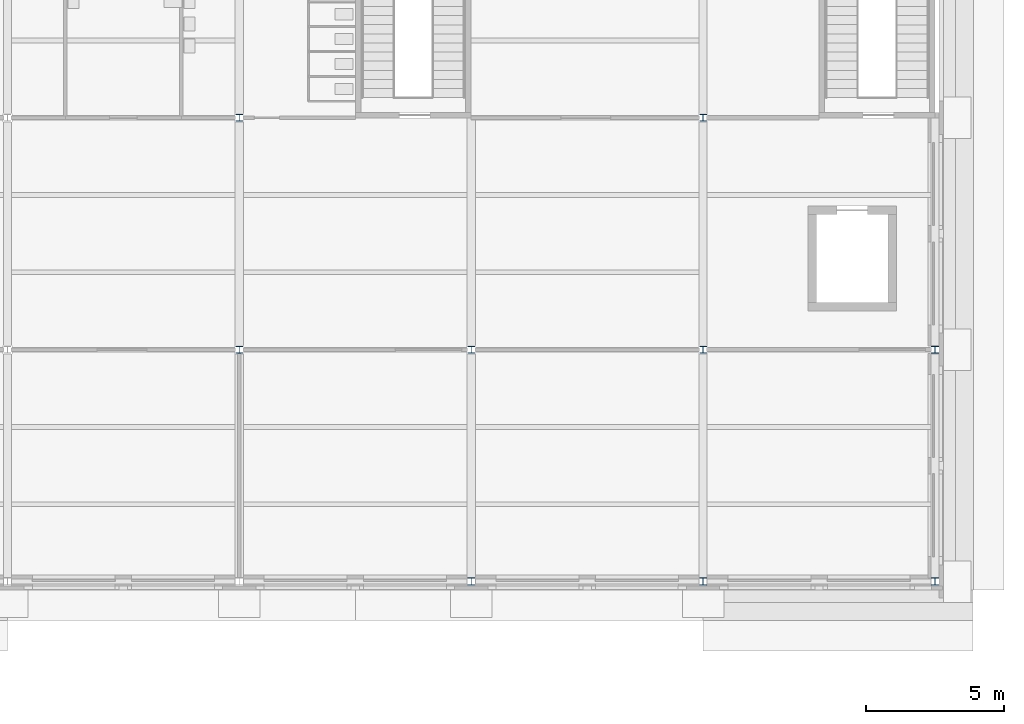
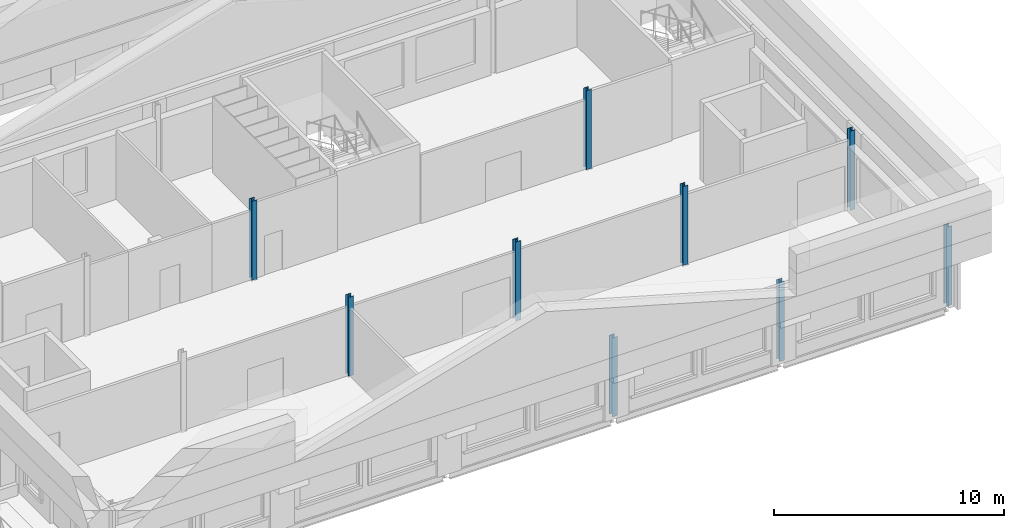
# One storey, part 6 of 76: 9 columns.
"""IFC4 building model written with IfcOpenShell, lengths in metres."""

import ifcopenshell
import ifcopenshell.guid

model = None  # the IFC model being written
_history = None  # IfcOwnerHistory: only IFC2X3 demands one
_inside = {}  # id of a spatial element -> (the spatial element, [elements in it])
_under = {}  # id of a project, library or spatial element -> (it, [spatial elements below it])
_declared = {}  # id of a project -> (the project, [libraries it declares])
_typed = {}  # id of a type object -> (the type object, [elements of that type])
_made_of = {}  # id of a material, layer set ... -> (it, [elements and type objects made of it])


def new_model(schema):
    """Start an empty IFC model of exactly this schema.

    Asked for "IFC4X3", IfcOpenShell would pick the latest addendum, in which some entities
    have other attributes; the version numbers below select the first issue.
    IFC2X3 requires an IfcOwnerHistory on every rooted entity: one is made here for all.
    """
    global model, _history
    if schema == "IFC4X3":
        model = ifcopenshell.file(schema_version=(4, 3, 0, 0))
    else:
        model = ifcopenshell.file(schema=schema)
    _inside.clear()
    _under.clear()
    _declared.clear()
    _typed.clear()
    _made_of.clear()
    _history = None
    if model.schema == "IFC2X3":
        org = make("IfcOrganization", Name="unknown")
        user = make(
            "IfcPersonAndOrganization",
            ThePerson=make("IfcPerson", FamilyName="unknown"),
            TheOrganization=org,
        )
        app = make(
            "IfcApplication",
            ApplicationDeveloper=org,
            Version="unknown",
            ApplicationFullName="unknown",
            ApplicationIdentifier="unknown",
        )
        _history = make(
            "IfcOwnerHistory",
            OwningUser=user,
            OwningApplication=app,
            ChangeAction="ADDED",
            CreationDate=0,
        )
    return model


def make(cls, **values):
    """One entity of the class cls with the attributes given. An attribute that is None is left unset."""
    return model.create_entity(
        cls, **{name: value for name, value in values.items() if value is not None}
    )


def rooted(cls, **values):
    """An entity with a GlobalId (a new one), such as an element, a storey or a relation."""
    return make(cls, GlobalId=ifcopenshell.guid.new(), OwnerHistory=_history, **values)


def si_unit(unit_type, name, prefix=None):
    """IfcSIUnit, for example si_unit("LENGTHUNIT", "METRE", prefix="MILLI")."""
    return make("IfcSIUnit", UnitType=unit_type, Prefix=prefix, Name=name)


def assignment(units):
    """IfcUnitAssignment: the units of a project."""
    return None if units is None else make("IfcUnitAssignment", Units=units)


def point(xyz):
    """IfcCartesianPoint."""
    return None if xyz is None else make("IfcCartesianPoint", Coordinates=xyz)


def direction(xyz):
    """IfcDirection."""
    return None if xyz is None else make("IfcDirection", DirectionRatios=xyz)


def frame(location, z_axis=None, x_axis=None):
    """IfcAxis2Placement3D, a coordinate frame: its origin and axes. An axis left out is left unset."""
    return make(
        "IfcAxis2Placement3D",
        Location=point(location),
        Axis=direction(z_axis),
        RefDirection=direction(x_axis),
    )


def frame_2d(location, x_axis=None):
    """IfcAxis2Placement2D, a coordinate frame in the plane: its origin and x axis."""
    return make(
        "IfcAxis2Placement2D", Location=point(location), RefDirection=direction(x_axis)
    )


def origin():
    """The frame at (0, 0, 0) with its axes left unset."""
    return frame((0.0, 0.0, 0.0))


def origin_2d():
    """The frame at (0, 0) in the plane with its x axis left unset."""
    return frame_2d((0.0, 0.0))


def place(relative_to, where):
    """IfcLocalPlacement: puts the frame where relative to a parent placement (None: the world)."""
    return make(
        "IfcLocalPlacement", PlacementRelTo=relative_to, RelativePlacement=where
    )


def context(
    kind, dimensions, precision=None, world=None, true_north=None, identifier=None
):
    """IfcGeometricRepresentationContext, for example the 3D "Model" context."""
    return make(
        "IfcGeometricRepresentationContext",
        ContextIdentifier=identifier,
        ContextType=kind,
        CoordinateSpaceDimension=dimensions,
        Precision=precision,
        WorldCoordinateSystem=world,
        TrueNorth=true_north,
    )


def subcontext(parent, identifier, kind, view, scale=None):
    """IfcGeometricRepresentationSubContext, for example "Body" below "Model"."""
    return make(
        "IfcGeometricRepresentationSubContext",
        ContextIdentifier=identifier,
        ContextType=kind,
        ParentContext=parent,
        TargetScale=scale,
        TargetView=view,
    )


def project(units=None, contexts=None):
    """IfcProject with its units and contexts."""
    return rooted(
        "IfcProject",
        Name="project",
        RepresentationContexts=contexts,
        UnitsInContext=assignment(units),
    )


def spatial(cls, under=None, at=None, **own):
    """A site, building, storey or space (cls), placed at a placement, below another one or the project."""
    s = rooted(cls, ObjectPlacement=at, **own)
    if under is not None:
        _under.setdefault(under.id(), (under, []))[1].append(s)
    return s


def profile(cls, at=None, kind="AREA", **sizes):
    """A parametric profile (cls). Its sizes go by their IFC names, for example OverallWidth=200.0."""
    return make(cls, ProfileType=kind, Position=at, **sizes)


def i_section(**sizes):
    """IfcIShapeProfileDef."""
    return profile("IfcIShapeProfileDef", **sizes)


def extrude(swept, where, along, depth):
    """IfcExtrudedAreaSolid: the profile swept, set in the frame where, extruded along a direction by depth."""
    return make(
        "IfcExtrudedAreaSolid",
        SweptArea=swept,
        Position=where,
        ExtrudedDirection=direction(along),
        Depth=depth,
    )


def shape(context_of_items, identifier, shape_type, items):
    """IfcShapeRepresentation: the items that make up one representation, for example the "Body"."""
    return make(
        "IfcShapeRepresentation",
        ContextOfItems=context_of_items,
        RepresentationIdentifier=identifier,
        RepresentationType=shape_type,
        Items=items,
    )


def material(Name=None, Category=None):
    """IfcMaterial."""
    return make("IfcMaterial", Name=Name, Category=Category)


def material_profile(
    of_material, cross_section, Name=None, Category=None, Priority=None
):
    """IfcMaterialProfile: a cross section and its material."""
    return make(
        "IfcMaterialProfile",
        Name=Name,
        Material=of_material,
        Profile=cross_section,
        Priority=Priority,
        Category=Category,
    )


def profile_set(profiles, Name=None, composite=None):
    """IfcMaterialProfileSet."""
    return make(
        "IfcMaterialProfileSet",
        Name=Name,
        MaterialProfiles=profiles,
        CompositeProfile=composite,
    )


def made_of(thing, what):
    """Note that an element or type object is made of a material, layer set ...; save() writes the relation."""
    if what is not None:
        _made_of.setdefault(what.id(), (what, []))[1].append(thing)
    return thing


def type_object(cls, material=None, **own):
    """A type object (cls), such as IfcWallType, which elements share."""
    return made_of(rooted(cls, **own), material)


def element(
    cls,
    number,
    at=None,
    inside=None,
    cuts=None,
    type_object=None,
    material=None,
    context=None,
    identifier="Body",
    shape_type=None,
    held_by="IfcProductDefinitionShape",
    body=None,
    shapes=None,
    **own,
):
    """One element of the class cls, such as IfcWall. Its Tag is "e" and its number.

    at: its placement. inside: the storey or other place that contains it. cuts: it is an
    opening in that element (IfcRelVoidsElement). A single representation is given by context,
    identifier, shape_type and body (its items); several are given by shapes. held_by: the class
    of the entity that holds the representations. save() writes the other relations.
    """
    e = rooted(cls, Tag="e%d" % number, ObjectPlacement=at, **own)
    if body is not None:
        shapes = [shape(context, identifier, shape_type, body)]
    if shapes is not None:
        e.Representation = make(held_by, Representations=shapes)
    if inside is not None:
        _inside.setdefault(inside.id(), (inside, []))[1].append(e)
    if cuts is not None:
        rooted(
            "IfcRelVoidsElement", RelatingBuildingElement=cuts, RelatedOpeningElement=e
        )
    if type_object is not None:
        _typed.setdefault(type_object.id(), (type_object, []))[1].append(e)
    return made_of(e, material)


def aggregate(whole, parts):
    """IfcRelAggregates: a whole, such as a stair, and the parts it consists of."""
    return rooted("IfcRelAggregates", RelatingObject=whole, RelatedObjects=parts)


def save(model, path):
    """Write the relations noted so far, then the file.

    IfcRelAggregates (storeys below a building ...), IfcRelContainedInSpatialStructure (elements
    in a storey), IfcRelDefinesByType, IfcRelAssociatesMaterial and IfcRelDeclares: one each for
    every whole, place, type object, material and project.
    """
    for whole, parts in _under.values():
        aggregate(whole, parts)
    for where, things in _inside.values():
        rooted(
            "IfcRelContainedInSpatialStructure",
            RelatedElements=things,
            RelatingStructure=where,
        )
    for kind, things in _typed.values():
        rooted("IfcRelDefinesByType", RelatedObjects=things, RelatingType=kind)
    for what, things in _made_of.values():
        rooted("IfcRelAssociatesMaterial", RelatedObjects=things, RelatingMaterial=what)
    for by, libraries in _declared.values():
        rooted("IfcRelDeclares", RelatingContext=by, RelatedDefinitions=libraries)
    model.write(path)


model = new_model("IFC4")

# Units and contexts
model_context = context("Model", 3, precision=1e-05, world=origin(), true_north=direction((0.0, 1.0)))
body_context = subcontext(model_context, "Body", "Model", "MODEL_VIEW")
ifc_project = project(units=[si_unit("LENGTHUNIT", "METRE"), si_unit("AREAUNIT", "SQUARE_METRE"), si_unit("VOLUMEUNIT", "CUBIC_METRE"), si_unit("PLANEANGLEUNIT", "RADIAN"), si_unit("MASSUNIT", "GRAM", prefix="KILO")], contexts=[model_context])

# Site, building, storey
site_placement = place(None, origin())
site = spatial("IfcSite", under=ifc_project, at=site_placement, CompositionType="ELEMENT")
building_placement = place(site_placement, origin())
building = spatial("IfcBuilding", under=site, at=building_placement, Name="Sava Quay Ferry Terminal", CompositionType="ELEMENT")
storey_placement = place(building_placement, frame((0.0, 0.0, 10.800048828125)))
storey = spatial("IfcBuildingStorey", under=building, at=storey_placement, Name="L02", CompositionType="ELEMENT", Elevation=10.800048828125)

# Columns
ifc_material = material(Name="Steel S355", Category="steel")
ifc_material_profile = material_profile(ifc_material, i_section(OverallWidth=0.260009765625, OverallDepth=0.260009765625, WebThickness=0.010009765625, FlangeThickness=0.017578125, at=origin_2d()), Name="HE 260 B")
ifc_profile_set = profile_set([ifc_material_profile], Name="Steel S355")
column_type = type_object("IfcColumnType", Name="Column HE 260 B", PredefinedType="COLUMN", material=ifc_profile_set)
for number, where, z_axis, x_axis, name in (
    (1, (100.800048828125, 33.60009765625, 0.0), (0.0, 0.0, 1.0), (1.0, 0.0, 0.0), "Column L02 100.8/33.6"),
    (2, (100.800048828125, 42.0, 0.0), (0.0, 0.0, 1.0), (1.0, 0.0, 0.0), "Column L02 100.8/42"),
    (3, (109.199951171875, 25.199951171875, 0.0), (0.0, 0.0, 1.0), (1.0, 0.0, 0.0), "Column L02 109.2/25.2"),
    (4, (109.199951171875, 33.60009765625, 0.0), (0.0, 0.0, 1.0), (1.0, 0.0, 0.0), "Column L02 109.2/33.6"),
    (5, (117.60009765625, 25.199951171875, 0.0), (0.0, 0.0, 1.0), (1.0, 0.0, 0.0), "Column L02 117.6/25.2"),
    (6, (117.60009765625, 33.60009765625, 0.0), (0.0, 0.0, 1.0), (1.0, 0.0, 0.0), "Column L02 117.6/33.6"),
    (7, (117.60009765625, 42.0, 0.0), (0.0, 0.0, 1.0), (1.0, 0.0, 0.0), "Column L02 117.6/42"),
    (8, (126.0, 25.199951171875, 0.0), (0.0, 0.0, 1.0), (1.0, 0.0, 0.0), "Column L02 126/25.2"),
    (9, (126.0, 33.60009765625, 0.0), (0.0, 0.0, 1.0), (1.0, 0.0, 0.0), "Column L02 126/33.6"),
):
    element("IfcColumn", number, at=place(storey_placement, frame(where, z_axis=z_axis, x_axis=x_axis)), inside=storey, type_object=column_type, Name=name, PredefinedType="COLUMN", context=body_context, shape_type="SweptSolid", body=[
        extrude(i_section(OverallWidth=0.260009765625, OverallDepth=0.260009765625, WebThickness=0.010009765625, FlangeThickness=0.017578125, at=origin_2d()), origin(), (0.0, 0.0, 1.0), 4.199951171875),
    ])

save(model, "model.ifc")
